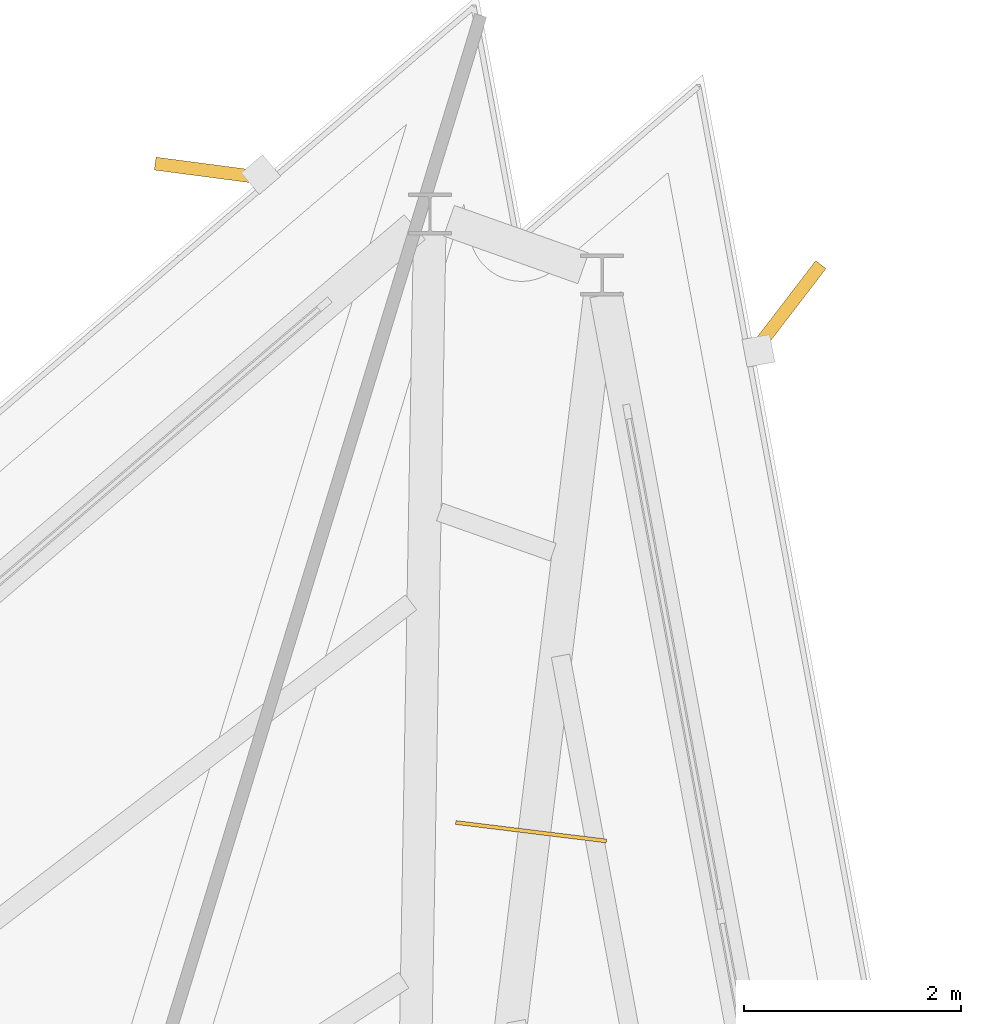
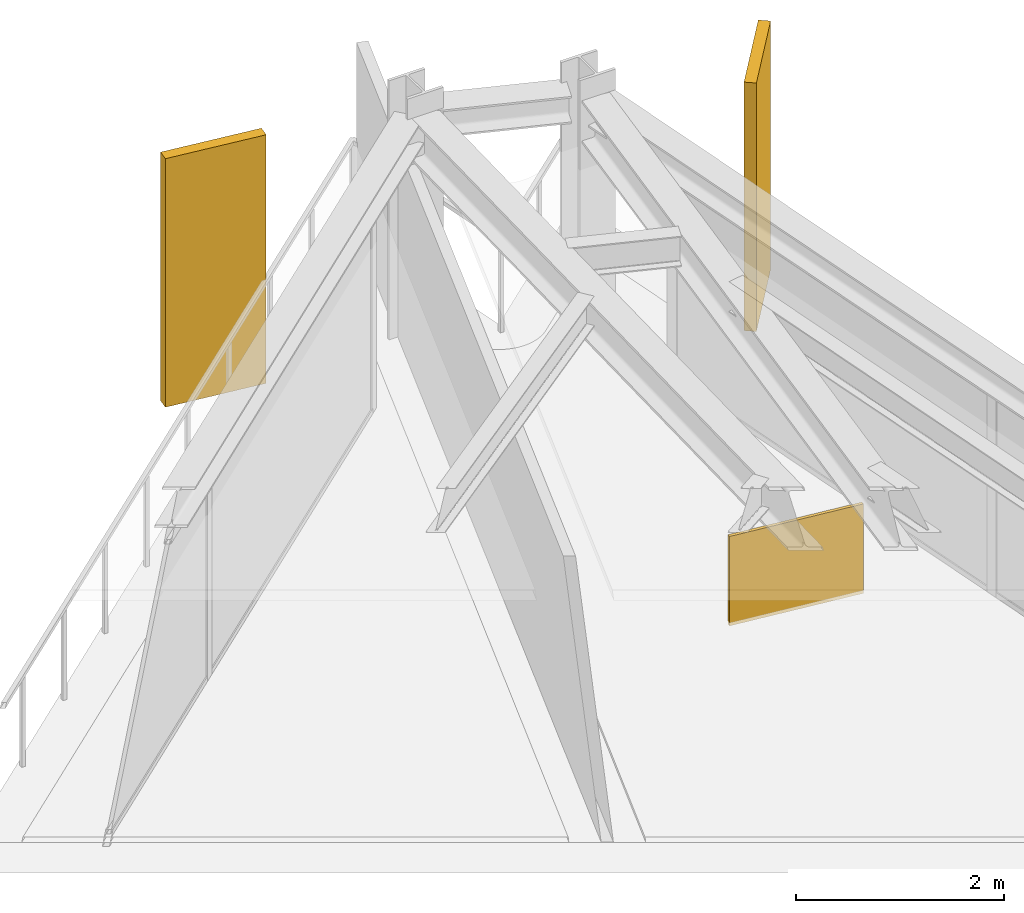
# One storey, part 14 of 14: 2 shading devices, 1 covering.
"""IFC4 building model written with IfcOpenShell, lengths in metres."""

from ifc_helpers import new_model, si_unit, direction, frame, origin, origin_2d, place, context, subcontext, project, spatial, rectangle, extrude, material, layer, layer_set, type_object, element, save


model = new_model("IFC4")

# Units and contexts
model_context = context("Model", 3, precision=1e-05, world=origin(), true_north=direction((0.0, 1.0)))
body_context = subcontext(model_context, "Body", "Model", "MODEL_VIEW")
ifc_project = project(units=[si_unit("LENGTHUNIT", "METRE"), si_unit("AREAUNIT", "SQUARE_METRE"), si_unit("VOLUMEUNIT", "CUBIC_METRE"), si_unit("PLANEANGLEUNIT", "RADIAN"), si_unit("MASSUNIT", "GRAM", prefix="KILO")], contexts=[model_context])

# Site, building, storey
site_placement = place(None, origin())
site = spatial("IfcSite", under=ifc_project, at=site_placement, CompositionType="ELEMENT")
building_placement = place(site_placement, origin())
building = spatial("IfcBuilding", under=site, at=building_placement, Name="Rocaltana Carrier Exchange", CompositionType="ELEMENT")
storey_placement = place(building_placement, frame((0.0, 0.0, 181.43994140625)))
storey = spatial("IfcBuildingStorey", under=building, at=storey_placement, Name="L57", CompositionType="ELEMENT", Elevation=181.43994140625)

# Covering
ifc_material_1 = material(Name="Honed Piedra Muneca Sandstone", Category="masonry")
ifc_layer_1 = layer(ifc_material_1, 0.034912109375)
ifc_layer_set_1 = layer_set([ifc_layer_1], Name="Honed Piedra Muneca Sandstone")
covering_type = type_object("IfcCoveringType", Name="Stone Facade Cladding 35", PredefinedType="CLADDING", material=ifc_layer_set_1)
covering_placement = place(storey_placement, frame((7.2578125, 14.68798828125, 0.0), z_axis=(0.0, 0.0, 1.0), x_axis=(-0.992546151641, 0.121869343405, 0.0)))
element("IfcCovering", 1, at=covering_placement, inside=storey, type_object=covering_type, Name="L57 Stone Facade Cladding Panel 5", PredefinedType="CLADDING", context=body_context, shape_type="SweptSolid", body=[
    extrude(rectangle(XDim=1.39990234375, YDim=0.034912109375, at=origin_2d()), origin(), (0.0, 0.0, 1.0), 1.050048828125),
])

# Shading devices
ifc_material_2 = material(Name="Honed Bogota Sandstone & Concrete C45/55", Category="masonry")
ifc_layer_2 = layer(ifc_material_2, 0.1201171875)
ifc_layer_set_2 = layer_set([ifc_layer_2], Name="Honed Bogota Sandstone & Concrete C45/55")
shading_device_type = type_object("IfcShadingDeviceType", Name="Upper Sandstone Shading Fin 1050x120", PredefinedType="USERDEFINED", material=ifc_layer_set_2)
for number, where, z_axis, x_axis, name in (
    (2, (9.611328125, 19.502685546875, -0.119873046875), (0.0, 0.0, 1.0), (0.608761429009, 0.793353340291, 0.0), "L57 Sandstone Vertical Fin F1-05"),
    (3, (4.310546875, 20.783447265625, -0.119873046875), (0.0, 0.0, 1.0), (-0.991444861374, 0.13052619222, 0.0), "L57 Sandstone Vertical Fin F2-01"),
):
    element("IfcShadingDevice", number, at=place(storey_placement, frame(where, z_axis=z_axis, x_axis=x_axis)), inside=storey, type_object=shading_device_type, Name=name, ObjectType="FIN", PredefinedType="USERDEFINED", context=body_context, shape_type="SweptSolid", body=[
        extrude(rectangle(XDim=1.050048828125, YDim=0.1201171875, at=origin_2d()), origin(), (0.0, 0.0, 1.0), 2.91796875),
    ])

save(model, "model.ifc")
